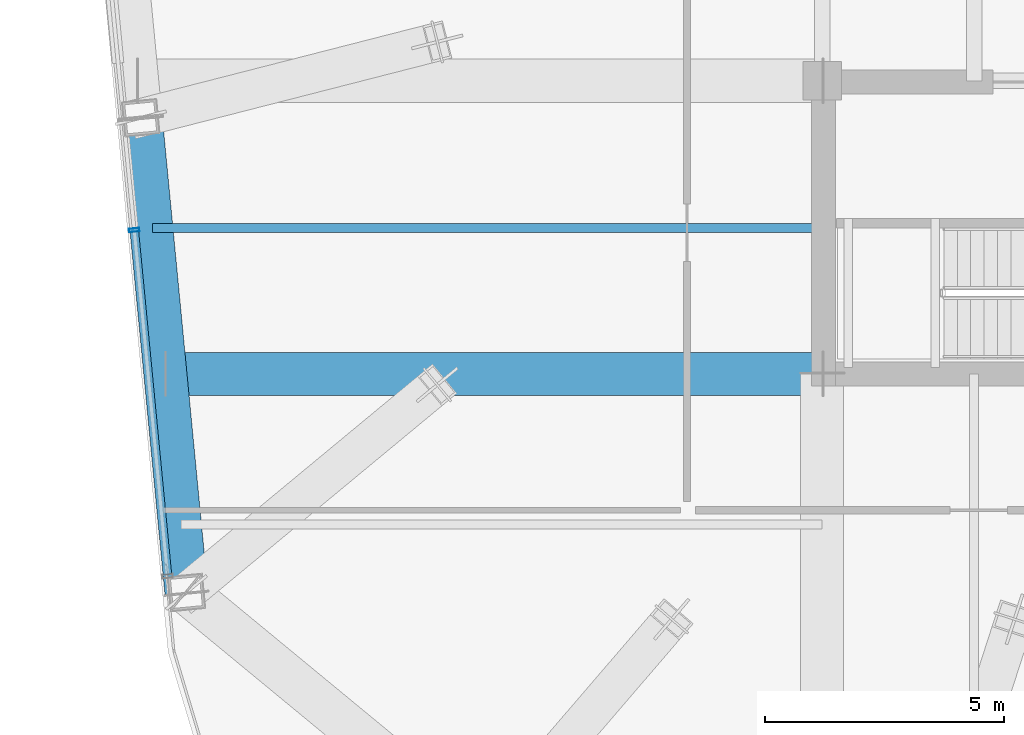
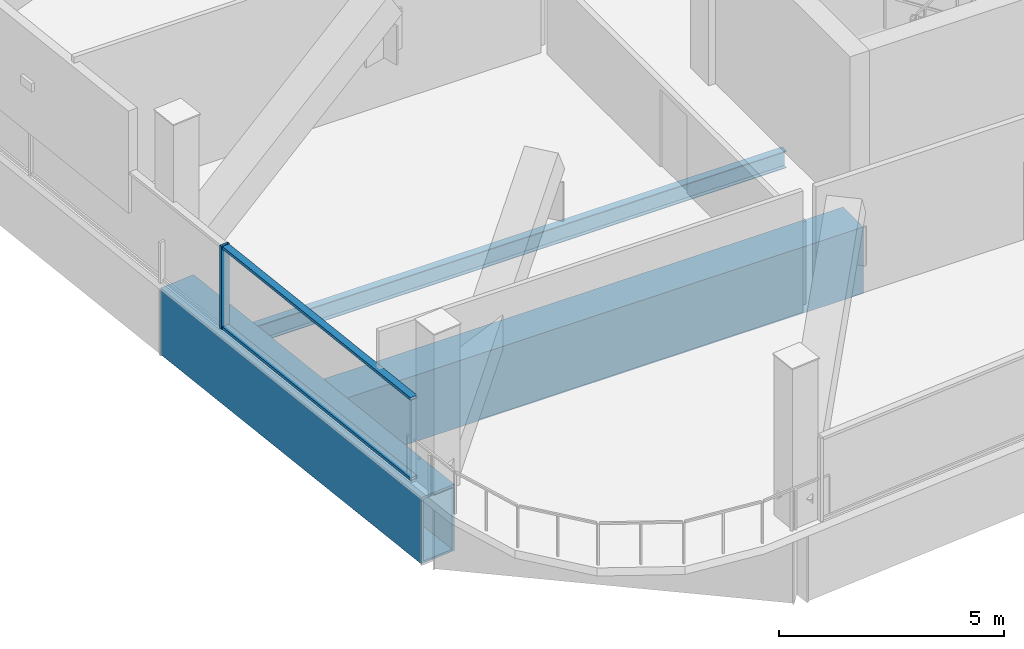
# One storey, part 3 of 22: 3 beams, 3 members, 1 element without a shape of its own.
"""IFC4 building model written with IfcOpenShell, lengths in metres."""

from ifc_helpers import new_model, si_unit, direction, frame, origin, origin_2d, place, context, subcontext, project, spatial, hollow_rectangle, i_section, extrude, material, layer, layer_set, material_profile, profile_set, type_object, element, aggregate, save


model = new_model("IFC4")

# Units and contexts
model_context = context("Model", 3, precision=1e-05, world=origin(), true_north=direction((0.0, 1.0)))
body_context = subcontext(model_context, "Body", "Model", "MODEL_VIEW")
ifc_project = project(units=[si_unit("LENGTHUNIT", "METRE"), si_unit("AREAUNIT", "SQUARE_METRE"), si_unit("VOLUMEUNIT", "CUBIC_METRE"), si_unit("PLANEANGLEUNIT", "RADIAN"), si_unit("MASSUNIT", "GRAM", prefix="KILO")], contexts=[model_context])

# Site, building, storey
site_placement = place(None, origin())
site = spatial("IfcSite", under=ifc_project, at=site_placement, CompositionType="ELEMENT")
building_placement = place(site_placement, origin())
building = spatial("IfcBuilding", under=site, at=building_placement, Name="Qhalaya Broadcast Tower", CompositionType="ELEMENT")
storey_placement = place(building_placement, frame((0.0, 0.0, 183.60009765625)))
storey = spatial("IfcBuildingStorey", under=building, at=storey_placement, Name="L54", CompositionType="ELEMENT", Elevation=183.60009765625)

# Beams
ifc_material_1 = material(Name="Structural Steel ASTM A572 Grade 50", Category="steel")
ifc_material_profile_1 = material_profile(ifc_material_1, hollow_rectangle(XDim=0.89990234375, YDim=1.800048828125, WallThickness=0.06005859375, at=origin_2d()), Name="BOX 900x1800x60")
ifc_profile_set_1 = profile_set([ifc_material_profile_1], Name="Structural Steel ASTM A572 Grade 50")
beam_type_1 = type_object("IfcBeamType", Name="Block Cantilever Transfer Box Girder TG1", PredefinedType="USERDEFINED", material=ifc_profile_set_1)
beam_1_placement = place(storey_placement, frame((-23.6171875, -3.399658203125, -1.1201171875), z_axis=(0.09582862993, -0.995397846936, 0.0), x_axis=(0.995397846936, 0.09582862993, 0.0)))
element("IfcBeam", 1, at=beam_1_placement, inside=storey, type_object=beam_type_1, Name="L54 TG1 L54-SPR-15", ObjectType="GIRDER", PredefinedType="USERDEFINED", context=body_context, shape_type="SweptSolid", body=[
    extrude(hollow_rectangle(XDim=0.89990234375, YDim=1.800048828125, WallThickness=0.06005859375, at=origin_2d()), origin(), (0.0, 0.0, 1.0), 9.966552734375),
])
beam_2_placement = place(storey_placement, frame((-23.08203125, -8.75, -1.1201171875), z_axis=(1.0, 0.0, 0.0), x_axis=(0.0, 1.0, 0.0)))
element("IfcBeam", 2, at=beam_2_placement, inside=storey, type_object=beam_type_1, Name="L54 TG1 L54-PGYW1-1", ObjectType="GIRDER", PredefinedType="USERDEFINED", context=body_context, shape_type="SweptSolid", body=[
    extrude(hollow_rectangle(XDim=0.89990234375, YDim=1.800048828125, WallThickness=0.06005859375, at=origin_2d()), origin(), (0.0, 0.0, 1.0), 13.70703125),
])
ifc_material_2 = material(Name="Structural Steel ASTM A992 Grade 50", Category="steel")
ifc_material_profile_2 = material_profile(ifc_material_2, i_section(OverallWidth=0.19189453125, OverallDepth=0.462890625, WebThickness=0.010498046875, FlangeThickness=0.017578125, at=origin_2d()), Name="W18X60")
ifc_profile_set_2 = profile_set([ifc_material_profile_2], Name="Structural Steel ASTM A992 Grade 50")
beam_type_2 = type_object("IfcBeamType", Name="Composite Floor Joist J03", PredefinedType="JOIST", material=ifc_profile_set_2)
beam_3_placement = place(storey_placement, frame((-23.375732421875, -5.699951171875, -0.45166015625), z_axis=(1.0, 0.0, 0.0), x_axis=(0.0, 1.0, 0.0)))
element("IfcBeam", 3, at=beam_3_placement, inside=storey, type_object=beam_type_2, Name="L54 J03 L54-JWE3W-1", PredefinedType="JOIST", context=body_context, shape_type="SweptSolid", body=[
    extrude(i_section(OverallWidth=0.19189453125, OverallDepth=0.462890625, WebThickness=0.010498046875, FlangeThickness=0.017578125, at=origin_2d()), origin(), (0.0, 0.0, 1.0), 14.000732421875),
])

# Curtain wall, members
ifc_material_3 = material(Name="Fired Architectural Terracotta", Category="masonry")
ifc_layer = layer(ifc_material_3, 0.219970703125, Name="Fired Architectural Terracotta")
ifc_layer_set = layer_set([ifc_layer], Name="Fired Architectural Terracotta")
curtain_wall_type = type_object("IfcCurtainWallType", Name="Block-Cap Unitised Terracotta Spandrel Wall CW-07", PredefinedType="NOTDEFINED", material=ifc_layer_set)
curtain_wall_placement = place(storey_placement, origin())
curtain_wall = element("IfcCurtainWall", 4, at=curtain_wall_placement, inside=storey, type_object=curtain_wall_type, Name="L54 Unitised Curtain Wall L54-CW-W", PredefinedType="NOTDEFINED")
ifc_material_4 = material(Name="Anodised Aluminium 6063-T6", Category="aluminium")
ifc_material_profile_3 = material_profile(ifc_material_4, hollow_rectangle(XDim=0.074951171875, YDim=0.219970703125, WallThickness=0.00390625, at=origin_2d()), Name="ALU-MUL 75x220x4")
ifc_profile_set_3 = profile_set([ifc_material_profile_3], Name="Anodised Aluminium 6063-T6")
member_type_1 = type_object("IfcMemberType", Name="Unitised Curtain-Wall Mullion M01", PredefinedType="MULLION", material=ifc_profile_set_3)
member_1_placement = place(storey_placement, frame((-23.7529296875, -5.74609375, 0.0), z_axis=(0.0, 0.0, 1.0), x_axis=(-0.095846069906, 0.995396167806, 0.0)))
member_1 = element("IfcMember", 5, at=member_1_placement, type_object=member_type_1, Name="CW-07 mullion 2", PredefinedType="MULLION", context=body_context, shape_type="SweptSolid", body=[
    extrude(hollow_rectangle(XDim=0.074951171875, YDim=0.219970703125, WallThickness=0.00390625, at=origin_2d()), origin(), (0.0, 0.0, 1.0), 2.25),
])
ifc_material_profile_4 = material_profile(ifc_material_4, hollow_rectangle(XDim=0.074951171875, YDim=0.179931640625, WallThickness=0.00390625, at=origin_2d()), Name="ALU-TRN 75x180x4")
ifc_profile_set_4 = profile_set([ifc_material_profile_4], Name="Anodised Aluminium 6063-T6")
member_type_2 = type_object("IfcMemberType", Name="Unitised Curtain-Wall Transom T01", PredefinedType="USERDEFINED", material=ifc_profile_set_4)
member_2_placement = place(storey_placement, frame((-23.06005859375, -12.94384765625, 0.037353515625), z_axis=(-0.095843684629, 0.99539639748, 0.0), x_axis=(0.0, 0.0, 1.0)))
member_2 = element("IfcMember", 6, at=member_2_placement, type_object=member_type_2, Name="CW-07 transom 1.1", ObjectType="TRANSOM", PredefinedType="USERDEFINED", context=body_context, shape_type="SweptSolid", body=[
    extrude(hollow_rectangle(XDim=0.074951171875, YDim=0.179931640625, WallThickness=0.00390625, at=origin_2d()), origin(), (0.0, 0.0, 1.0), 7.193603515625),
])
member_3_placement = place(storey_placement, frame((-23.06005859375, -12.94384765625, 2.21240234375), z_axis=(-0.095843684629, 0.99539639748, 0.0), x_axis=(0.0, 0.0, 1.0)))
member_3 = element("IfcMember", 7, at=member_3_placement, type_object=member_type_2, Name="CW-07 transom 1.2", ObjectType="TRANSOM", PredefinedType="USERDEFINED", context=body_context, shape_type="SweptSolid", body=[
    extrude(hollow_rectangle(XDim=0.074951171875, YDim=0.179931640625, WallThickness=0.00390625, at=origin_2d()), origin(), (0.0, 0.0, 1.0), 7.193603515625),
])
aggregate(curtain_wall, [member_1, member_2, member_3])

save(model, "model.ifc")
